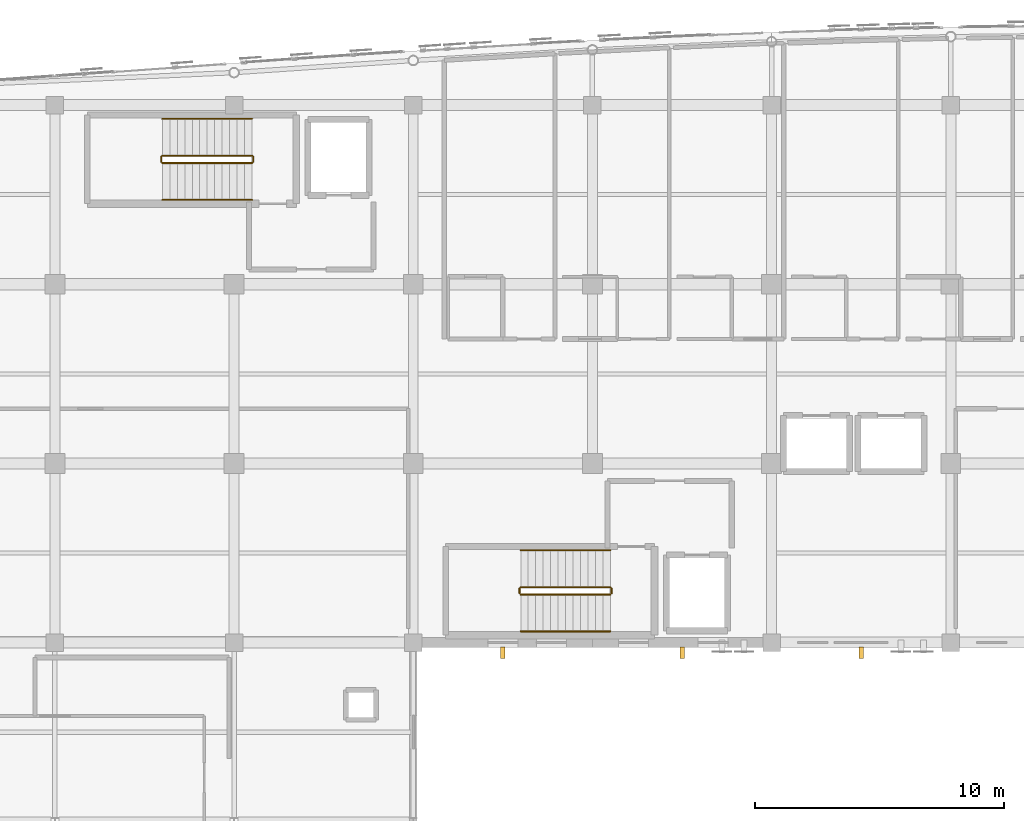
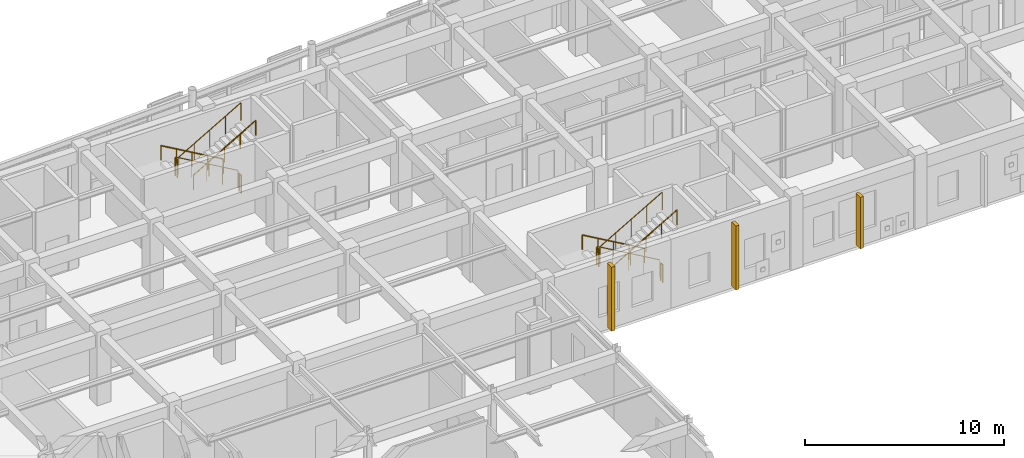
# One storey, part 100 of 106: 12 railings, 3 shading devices.
"""IFC4 building model written with IfcOpenShell, lengths in metres."""

from ifc_helpers import new_model, si_unit, direction, frame, origin, origin_2d, place, context, subcontext, project, spatial, rectangle, circle, extrude, material, layer, layer_set, type_object, element, save


model = new_model("IFC4")

# Units and contexts
model_context = context("Model", 3, precision=1e-05, world=origin(), true_north=direction((0.0, 1.0)))
body_context = subcontext(model_context, "Body", "Model", "MODEL_VIEW")
ifc_project = project(units=[si_unit("LENGTHUNIT", "METRE"), si_unit("AREAUNIT", "SQUARE_METRE"), si_unit("VOLUMEUNIT", "CUBIC_METRE"), si_unit("PLANEANGLEUNIT", "RADIAN"), si_unit("MASSUNIT", "GRAM", prefix="KILO")], contexts=[model_context])

# Site, building, storey
site_placement = place(None, origin())
site = spatial("IfcSite", under=ifc_project, at=site_placement, CompositionType="ELEMENT")
building_placement = place(site_placement, origin())
building = spatial("IfcBuilding", under=site, at=building_placement, Name="Carrowvane Square Congress Hotel", CompositionType="ELEMENT")
storey_placement = place(building_placement, frame((0.0, 0.0, 10.5)))
storey = spatial("IfcBuildingStorey", under=building, at=storey_placement, Name="L02", CompositionType="ELEMENT", Elevation=10.5)

# Railings
ifc_material_1 = material(Name="Stainless steel 316", Category="steel")
ifc_layer_1 = layer(ifc_material_1, 0.048095703125)
ifc_layer_set_1 = layer_set([ifc_layer_1], Name="Stainless steel 316")
railing_type_1 = type_object("IfcRailingType", Name="RLG-HR-900", PredefinedType="HANDRAIL", material=ifc_layer_set_1)
railing_1_placement = place(storey_placement, frame((62.719970703125, 112.85009765625, 0.173095703125)))
element("IfcRailing", 1, at=railing_1_placement, inside=storey, type_object=railing_type_1, Name="L02 ST1 stair handrail 1", PredefinedType="HANDRAIL", context=body_context, shape_type="SweptSolid", body=[
    extrude(circle(Radius=0.02392578125, at=origin_2d()), frame((0.0, 0.0, 0.8759765625), z_axis=(-0.866178740119, 0.0, 0.499734319579), x_axis=(0.0, -1.0, 0.0)), (0.0, 0.0, 1.0), 4.156005859375),
    extrude(circle(Radius=0.02099609375, at=origin_2d()), origin(), (0.0, 0.0, 1.0), 0.851806640625),
    extrude(circle(Radius=0.02099609375, at=origin_2d()), frame((-0.89990234375, 0.0, 0.519287109375)), (0.0, 0.0, 1.0), 0.851806640625),
    extrude(circle(Radius=0.02099609375, at=origin_2d()), frame((-1.7998046875, 0.0, 1.03857421875)), (0.0, 0.0, 1.0), 0.851806640625),
    extrude(circle(Radius=0.02099609375, at=origin_2d()), frame((-2.699951171875, 0.0, 1.5576171875)), (0.0, 0.0, 1.0), 0.851806640625),
    extrude(circle(Radius=0.02099609375, at=origin_2d()), frame((-3.599853515625, 0.0, 2.076904296875)), (0.0, 0.0, 1.0), 0.851806640625),
])
railing_2_placement = place(storey_placement, frame((59.1201171875, 109.590087890625, 2.423095703125)))
element("IfcRailing", 2, at=railing_2_placement, inside=storey, type_object=railing_type_1, Name="L02 ST1 stair handrail 2", PredefinedType="HANDRAIL", context=body_context, shape_type="SweptSolid", body=[
    extrude(circle(Radius=0.02392578125, at=origin_2d()), frame((0.0, 0.0, 0.8759765625), z_axis=(0.866178740119, 0.0, 0.499734319579), x_axis=(0.0, 1.0, 0.0)), (0.0, 0.0, 1.0), 4.156005859375),
    extrude(circle(Radius=0.02099609375, at=origin_2d()), origin(), (0.0, 0.0, 1.0), 0.851806640625),
    extrude(circle(Radius=0.02099609375, at=origin_2d()), frame((0.89990234375, 0.0, 0.519287109375)), (0.0, 0.0, 1.0), 0.851806640625),
    extrude(circle(Radius=0.02099609375, at=origin_2d()), frame((1.7998046875, 0.0, 1.03857421875)), (0.0, 0.0, 1.0), 0.851806640625),
    extrude(circle(Radius=0.02099609375, at=origin_2d()), frame((2.699951171875, 0.0, 1.5576171875)), (0.0, 0.0, 1.0), 0.851806640625),
    extrude(circle(Radius=0.02099609375, at=origin_2d()), frame((3.599853515625, 0.0, 2.076904296875)), (0.0, 0.0, 1.0), 0.851806640625),
])
railing_3_placement = place(storey_placement, frame((77.1201171875, 95.510009765625, 0.173095703125)))
element("IfcRailing", 3, at=railing_3_placement, inside=storey, type_object=railing_type_1, Name="L02 ST2 stair handrail 1", PredefinedType="HANDRAIL", context=body_context, shape_type="SweptSolid", body=[
    extrude(circle(Radius=0.02392578125, at=origin_2d()), frame((0.0, 0.0, 0.8759765625), z_axis=(-0.866193409371, 0.0, 0.499708892819), x_axis=(0.0, -1.0, 0.0)), (0.0, 0.0, 1.0), 4.15625),
    extrude(circle(Radius=0.02099609375, at=origin_2d()), origin(), (0.0, 0.0, 1.0), 0.851806640625),
    extrude(circle(Radius=0.02099609375, at=origin_2d()), frame((-0.89990234375, 0.0, 0.519287109375)), (0.0, 0.0, 1.0), 0.851806640625),
    extrude(circle(Radius=0.02099609375, at=origin_2d()), frame((-1.800048828125, 0.0, 1.03857421875)), (0.0, 0.0, 1.0), 0.851806640625),
    extrude(circle(Radius=0.02099609375, at=origin_2d()), frame((-2.7001953125, 0.0, 1.5576171875)), (0.0, 0.0, 1.0), 0.851806640625),
    extrude(circle(Radius=0.02099609375, at=origin_2d()), frame((-3.60009765625, 0.0, 2.076904296875)), (0.0, 0.0, 1.0), 0.851806640625),
])
railing_4_placement = place(storey_placement, frame((73.52001953125, 92.25, 2.423095703125)))
element("IfcRailing", 4, at=railing_4_placement, inside=storey, type_object=railing_type_1, Name="L02 ST2 stair handrail 2", PredefinedType="HANDRAIL", context=body_context, shape_type="SweptSolid", body=[
    extrude(circle(Radius=0.02392578125, at=origin_2d()), frame((0.0, 0.0, 0.8759765625), z_axis=(0.866193409371, 0.0, 0.499708892819), x_axis=(0.0, 1.0, 0.0)), (0.0, 0.0, 1.0), 4.15625),
    extrude(circle(Radius=0.02099609375, at=origin_2d()), origin(), (0.0, 0.0, 1.0), 0.851806640625),
    extrude(circle(Radius=0.02099609375, at=origin_2d()), frame((0.89990234375, 0.0, 0.519287109375)), (0.0, 0.0, 1.0), 0.851806640625),
    extrude(circle(Radius=0.02099609375, at=origin_2d()), frame((1.800048828125, 0.0, 1.03857421875)), (0.0, 0.0, 1.0), 0.851806640625),
    extrude(circle(Radius=0.02099609375, at=origin_2d()), frame((2.7001953125, 0.0, 1.5576171875)), (0.0, 0.0, 1.0), 0.851806640625),
    extrude(circle(Radius=0.02099609375, at=origin_2d()), frame((3.60009765625, 0.0, 2.076904296875)), (0.0, 0.0, 1.0), 0.851806640625),
])
ifc_material_2 = material(Name="Galvanised steel", Category="steel")
ifc_layer_2 = layer(ifc_material_2, 0.048095703125)
ifc_layer_set_2 = layer_set([ifc_layer_2], Name="Galvanised steel")
railing_type_2 = type_object("IfcRailingType", Name="RLG-STG-1100", PredefinedType="GUARDRAIL", material=ifc_layer_set_2)
railing_5_placement = place(storey_placement, frame((62.719970703125, 111.3701171875, 0.173095703125)))
element("IfcRailing", 5, at=railing_5_placement, inside=storey, type_object=railing_type_2, Name="L02 ST1 stair guard 1", PredefinedType="GUARDRAIL", context=body_context, shape_type="SweptSolid", body=[
    extrude(circle(Radius=0.02392578125, at=origin_2d()), frame((0.0, 0.0, 1.076171875), z_axis=(-0.866178740119, 0.0, 0.499734319579), x_axis=(0.0, -1.0, 0.0)), (0.0, 0.0, 1.0), 4.156005859375),
    extrude(circle(Radius=0.02099609375, at=origin_2d()), origin(), (0.0, 0.0, 1.0), 1.052001953125),
    extrude(circle(Radius=0.02099609375, at=origin_2d()), frame((-0.89990234375, 0.0, 0.519287109375)), (0.0, 0.0, 1.0), 1.052001953125),
    extrude(circle(Radius=0.02099609375, at=origin_2d()), frame((-1.7998046875, 0.0, 1.03857421875)), (0.0, 0.0, 1.0), 1.052001953125),
    extrude(circle(Radius=0.02099609375, at=origin_2d()), frame((-2.699951171875, 0.0, 1.5576171875)), (0.0, 0.0, 1.0), 1.052001953125),
    extrude(circle(Radius=0.02099609375, at=origin_2d()), frame((-3.599853515625, 0.0, 2.076904296875)), (0.0, 0.0, 1.0), 1.052001953125),
])
railing_6_placement = place(storey_placement, frame((59.070068359375, 111.320068359375, 2.25)))
element("IfcRailing", 6, at=railing_6_placement, inside=storey, type_object=railing_type_2, Name="L02 ST1 stair guard 2", PredefinedType="GUARDRAIL", context=body_context, shape_type="SweptSolid", body=[
    extrude(circle(Radius=0.02392578125, at=origin_2d()), frame((0.0, 0.0, 1.076171875), z_axis=(0.0, -1.0, 0.0), x_axis=(1.0, 0.0, 0.0)), (0.0, 0.0, 1.0), 0.199951171875),
    extrude(circle(Radius=0.02099609375, at=origin_2d()), origin(), (0.0, 0.0, 1.0), 1.052001953125),
    extrude(circle(Radius=0.02099609375, at=origin_2d()), frame((0.0, -0.199951171875, 0.0)), (0.0, 0.0, 1.0), 1.052001953125),
])
railing_7_placement = place(storey_placement, frame((59.1201171875, 111.070068359375, 2.423095703125)))
element("IfcRailing", 7, at=railing_7_placement, inside=storey, type_object=railing_type_2, Name="L02 ST1 stair guard 3", PredefinedType="GUARDRAIL", context=body_context, shape_type="SweptSolid", body=[
    extrude(circle(Radius=0.02392578125, at=origin_2d()), frame((0.0, 0.0, 1.076171875), z_axis=(0.866178740119, 0.0, 0.499734319579), x_axis=(0.0, 1.0, 0.0)), (0.0, 0.0, 1.0), 4.156005859375),
    extrude(circle(Radius=0.02099609375, at=origin_2d()), origin(), (0.0, 0.0, 1.0), 1.052001953125),
    extrude(circle(Radius=0.02099609375, at=origin_2d()), frame((0.89990234375, 0.0, 0.519287109375)), (0.0, 0.0, 1.0), 1.052001953125),
    extrude(circle(Radius=0.02099609375, at=origin_2d()), frame((1.7998046875, 0.0, 1.03857421875)), (0.0, 0.0, 1.0), 1.052001953125),
    extrude(circle(Radius=0.02099609375, at=origin_2d()), frame((2.699951171875, 0.0, 1.5576171875)), (0.0, 0.0, 1.0), 1.052001953125),
    extrude(circle(Radius=0.02099609375, at=origin_2d()), frame((3.599853515625, 0.0, 2.076904296875)), (0.0, 0.0, 1.0), 1.052001953125),
])
railing_8_placement = place(storey_placement, frame((62.77001953125, 111.320068359375, 0.0)))
element("IfcRailing", 8, at=railing_8_placement, inside=storey, type_object=railing_type_2, Name="L02 ST1 stair guard 4", PredefinedType="GUARDRAIL", context=body_context, shape_type="SweptSolid", body=[
    extrude(circle(Radius=0.02392578125, at=origin_2d()), frame((0.0, 0.0, 1.076171875), z_axis=(0.0, -1.0, 0.0), x_axis=(1.0, 0.0, 0.0)), (0.0, 0.0, 1.0), 0.199951171875),
    extrude(circle(Radius=0.02099609375, at=origin_2d()), origin(), (0.0, 0.0, 1.0), 1.052001953125),
    extrude(circle(Radius=0.02099609375, at=origin_2d()), frame((0.0, -0.199951171875, 0.0)), (0.0, 0.0, 1.0), 1.052001953125),
])
railing_9_placement = place(storey_placement, frame((77.1201171875, 94.030029296875, 0.173095703125)))
element("IfcRailing", 9, at=railing_9_placement, inside=storey, type_object=railing_type_2, Name="L02 ST2 stair guard 1", PredefinedType="GUARDRAIL", context=body_context, shape_type="SweptSolid", body=[
    extrude(circle(Radius=0.02392578125, at=origin_2d()), frame((0.0, 0.0, 1.076171875), z_axis=(-0.866193409371, 0.0, 0.499708892819), x_axis=(0.0, -1.0, 0.0)), (0.0, 0.0, 1.0), 4.15625),
    extrude(circle(Radius=0.02099609375, at=origin_2d()), origin(), (0.0, 0.0, 1.0), 1.052001953125),
    extrude(circle(Radius=0.02099609375, at=origin_2d()), frame((-0.89990234375, 0.0, 0.519287109375)), (0.0, 0.0, 1.0), 1.052001953125),
    extrude(circle(Radius=0.02099609375, at=origin_2d()), frame((-1.800048828125, 0.0, 1.03857421875)), (0.0, 0.0, 1.0), 1.052001953125),
    extrude(circle(Radius=0.02099609375, at=origin_2d()), frame((-2.7001953125, 0.0, 1.5576171875)), (0.0, 0.0, 1.0), 1.052001953125),
    extrude(circle(Radius=0.02099609375, at=origin_2d()), frame((-3.60009765625, 0.0, 2.076904296875)), (0.0, 0.0, 1.0), 1.052001953125),
])
railing_10_placement = place(storey_placement, frame((73.469970703125, 93.97998046875, 2.25)))
element("IfcRailing", 10, at=railing_10_placement, inside=storey, type_object=railing_type_2, Name="L02 ST2 stair guard 2", PredefinedType="GUARDRAIL", context=body_context, shape_type="SweptSolid", body=[
    extrude(circle(Radius=0.02392578125, at=origin_2d()), frame((0.0, 0.0, 1.076171875), z_axis=(0.0, -1.0, 0.0), x_axis=(1.0, 0.0, 0.0)), (0.0, 0.0, 1.0), 0.199951171875),
    extrude(circle(Radius=0.02099609375, at=origin_2d()), origin(), (0.0, 0.0, 1.0), 1.052001953125),
    extrude(circle(Radius=0.02099609375, at=origin_2d()), frame((0.0, -0.199951171875, 0.0)), (0.0, 0.0, 1.0), 1.052001953125),
])
railing_11_placement = place(storey_placement, frame((73.52001953125, 93.72998046875, 2.423095703125)))
element("IfcRailing", 11, at=railing_11_placement, inside=storey, type_object=railing_type_2, Name="L02 ST2 stair guard 3", PredefinedType="GUARDRAIL", context=body_context, shape_type="SweptSolid", body=[
    extrude(circle(Radius=0.02392578125, at=origin_2d()), frame((0.0, 0.0, 1.076171875), z_axis=(0.866193409371, 0.0, 0.499708892819), x_axis=(0.0, 1.0, 0.0)), (0.0, 0.0, 1.0), 4.15625),
    extrude(circle(Radius=0.02099609375, at=origin_2d()), origin(), (0.0, 0.0, 1.0), 1.052001953125),
    extrude(circle(Radius=0.02099609375, at=origin_2d()), frame((0.89990234375, 0.0, 0.519287109375)), (0.0, 0.0, 1.0), 1.052001953125),
    extrude(circle(Radius=0.02099609375, at=origin_2d()), frame((1.800048828125, 0.0, 1.03857421875)), (0.0, 0.0, 1.0), 1.052001953125),
    extrude(circle(Radius=0.02099609375, at=origin_2d()), frame((2.7001953125, 0.0, 1.5576171875)), (0.0, 0.0, 1.0), 1.052001953125),
    extrude(circle(Radius=0.02099609375, at=origin_2d()), frame((3.60009765625, 0.0, 2.076904296875)), (0.0, 0.0, 1.0), 1.052001953125),
])
railing_12_placement = place(storey_placement, frame((77.169921875, 93.97998046875, 0.0)))
element("IfcRailing", 12, at=railing_12_placement, inside=storey, type_object=railing_type_2, Name="L02 ST2 stair guard 4", PredefinedType="GUARDRAIL", context=body_context, shape_type="SweptSolid", body=[
    extrude(circle(Radius=0.02392578125, at=origin_2d()), frame((0.0, 0.0, 1.076171875), z_axis=(0.0, -1.0, 0.0), x_axis=(1.0, 0.0, 0.0)), (0.0, 0.0, 1.0), 0.199951171875),
    extrude(circle(Radius=0.02099609375, at=origin_2d()), origin(), (0.0, 0.0, 1.0), 1.052001953125),
    extrude(circle(Radius=0.02099609375, at=origin_2d()), frame((0.0, -0.199951171875, 0.0)), (0.0, 0.0, 1.0), 1.052001953125),
])

# Shading devices
ifc_material_3 = material(Name="Portland limestone cladding", Category="masonry")
shading_device_type = type_object("IfcShadingDeviceType", Name="SHD-FIN-LS", PredefinedType="USERDEFINED", material=ifc_material_3)
shading_device_placement = place(storey_placement, frame((87.199951171875, 91.389892578125, 0.14990234375), z_axis=(0.0, 0.0, 1.0), x_axis=(-1.0, 0.0, 0.0)))
element("IfcShadingDevice", 13, at=shading_device_placement, inside=storey, type_object=shading_device_type, Name="Limestone brise-soleil fin 12", ObjectType="FIN", PredefinedType="USERDEFINED", context=body_context, shape_type="SweptSolid", body=[
    extrude(rectangle(XDim=0.179931640625, YDim=0.449951171875, at=origin_2d()), origin(), (0.0, 0.0, 1.0), 3.155029296875),
])
for number, where, z_axis, x_axis, name in (
    (14, (80.0, 91.389892578125, 0.150146484375), (0.0, 0.0, 1.0), (-1.0, 0.0, 0.0), "Limestone brise-soleil fin 13"),
    (15, (72.800048828125, 91.389892578125, 0.150146484375), (0.0, 0.0, 1.0), (-1.0, 0.0, 0.0), "Limestone brise-soleil fin 14"),
):
    element("IfcShadingDevice", number, at=place(storey_placement, frame(where, z_axis=z_axis, x_axis=x_axis)), inside=storey, type_object=shading_device_type, Name=name, ObjectType="FIN", PredefinedType="USERDEFINED", context=body_context, shape_type="SweptSolid", body=[
        extrude(rectangle(XDim=0.179931640625, YDim=0.449951171875, at=origin_2d()), origin(), (0.0, 0.0, 1.0), 3.919921875),
    ])

save(model, "model.ifc")
